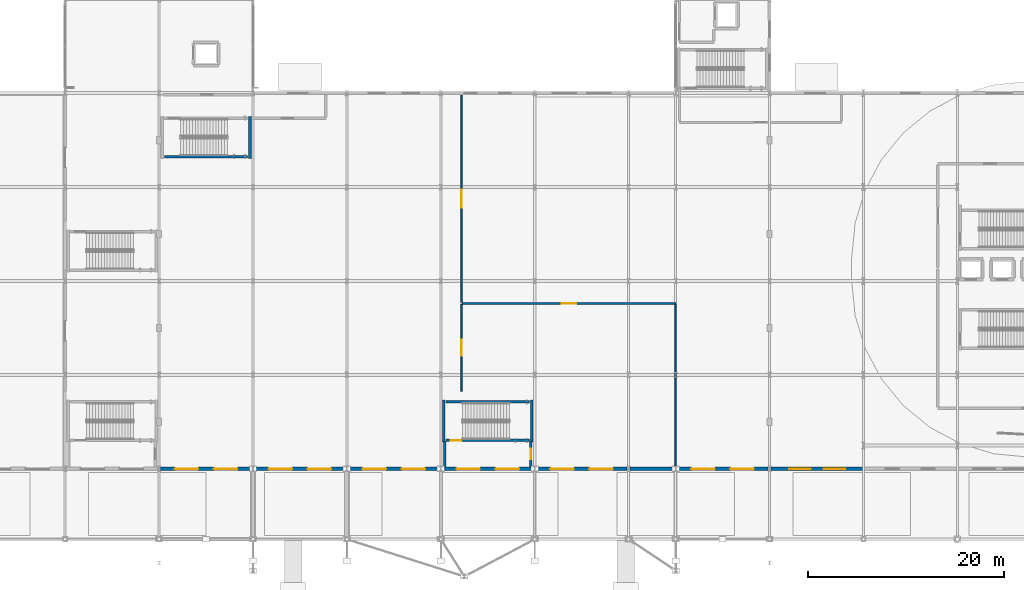
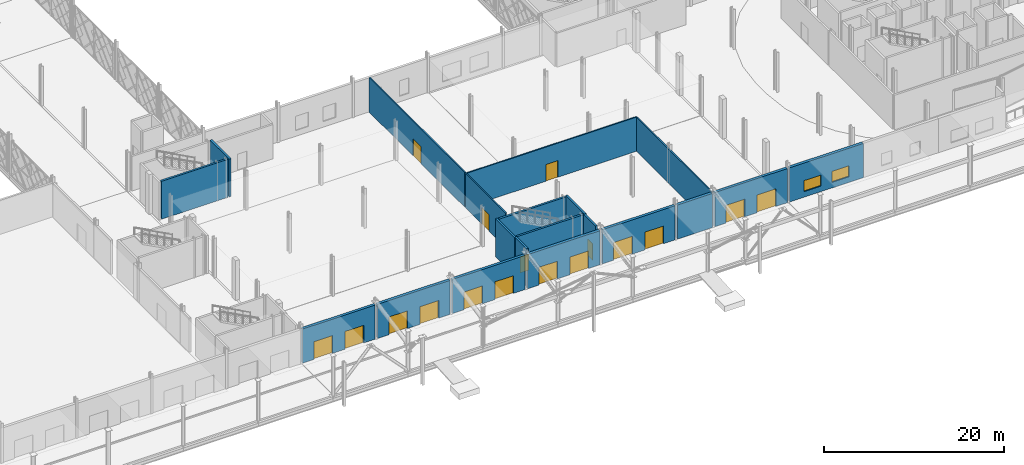
# One storey, part 52 of 84: 20 walls, 17 doors, 2 windows, 19 openings.
"""IFC4 building model written with IfcOpenShell, lengths in metres."""

import ifcopenshell
import ifcopenshell.guid

model = None  # the IFC model being written
_history = None  # IfcOwnerHistory: only IFC2X3 demands one
_inside = {}  # id of a spatial element -> (the spatial element, [elements in it])
_under = {}  # id of a project, library or spatial element -> (it, [spatial elements below it])
_declared = {}  # id of a project -> (the project, [libraries it declares])
_typed = {}  # id of a type object -> (the type object, [elements of that type])
_made_of = {}  # id of a material, layer set ... -> (it, [elements and type objects made of it])


def new_model(schema):
    """Start an empty IFC model of exactly this schema.

    Asked for "IFC4X3", IfcOpenShell would pick the latest addendum, in which some entities
    have other attributes; the version numbers below select the first issue.
    IFC2X3 requires an IfcOwnerHistory on every rooted entity: one is made here for all.
    """
    global model, _history
    if schema == "IFC4X3":
        model = ifcopenshell.file(schema_version=(4, 3, 0, 0))
    else:
        model = ifcopenshell.file(schema=schema)
    _inside.clear()
    _under.clear()
    _declared.clear()
    _typed.clear()
    _made_of.clear()
    _history = None
    if model.schema == "IFC2X3":
        org = make("IfcOrganization", Name="unknown")
        user = make(
            "IfcPersonAndOrganization",
            ThePerson=make("IfcPerson", FamilyName="unknown"),
            TheOrganization=org,
        )
        app = make(
            "IfcApplication",
            ApplicationDeveloper=org,
            Version="unknown",
            ApplicationFullName="unknown",
            ApplicationIdentifier="unknown",
        )
        _history = make(
            "IfcOwnerHistory",
            OwningUser=user,
            OwningApplication=app,
            ChangeAction="ADDED",
            CreationDate=0,
        )
    return model


def make(cls, **values):
    """One entity of the class cls with the attributes given. An attribute that is None is left unset."""
    return model.create_entity(
        cls, **{name: value for name, value in values.items() if value is not None}
    )


def rooted(cls, **values):
    """An entity with a GlobalId (a new one), such as an element, a storey or a relation."""
    return make(cls, GlobalId=ifcopenshell.guid.new(), OwnerHistory=_history, **values)


def si_unit(unit_type, name, prefix=None):
    """IfcSIUnit, for example si_unit("LENGTHUNIT", "METRE", prefix="MILLI")."""
    return make("IfcSIUnit", UnitType=unit_type, Prefix=prefix, Name=name)


def assignment(units):
    """IfcUnitAssignment: the units of a project."""
    return None if units is None else make("IfcUnitAssignment", Units=units)


def point(xyz):
    """IfcCartesianPoint."""
    return None if xyz is None else make("IfcCartesianPoint", Coordinates=xyz)


def direction(xyz):
    """IfcDirection."""
    return None if xyz is None else make("IfcDirection", DirectionRatios=xyz)


def frame(location, z_axis=None, x_axis=None):
    """IfcAxis2Placement3D, a coordinate frame: its origin and axes. An axis left out is left unset."""
    return make(
        "IfcAxis2Placement3D",
        Location=point(location),
        Axis=direction(z_axis),
        RefDirection=direction(x_axis),
    )


def frame_2d(location, x_axis=None):
    """IfcAxis2Placement2D, a coordinate frame in the plane: its origin and x axis."""
    return make(
        "IfcAxis2Placement2D", Location=point(location), RefDirection=direction(x_axis)
    )


def origin():
    """The frame at (0, 0, 0) with its axes left unset."""
    return frame((0.0, 0.0, 0.0))


def place(relative_to, where):
    """IfcLocalPlacement: puts the frame where relative to a parent placement (None: the world)."""
    return make(
        "IfcLocalPlacement", PlacementRelTo=relative_to, RelativePlacement=where
    )


def context(
    kind, dimensions, precision=None, world=None, true_north=None, identifier=None
):
    """IfcGeometricRepresentationContext, for example the 3D "Model" context."""
    return make(
        "IfcGeometricRepresentationContext",
        ContextIdentifier=identifier,
        ContextType=kind,
        CoordinateSpaceDimension=dimensions,
        Precision=precision,
        WorldCoordinateSystem=world,
        TrueNorth=true_north,
    )


def subcontext(parent, identifier, kind, view, scale=None):
    """IfcGeometricRepresentationSubContext, for example "Body" below "Model"."""
    return make(
        "IfcGeometricRepresentationSubContext",
        ContextIdentifier=identifier,
        ContextType=kind,
        ParentContext=parent,
        TargetScale=scale,
        TargetView=view,
    )


def project(units=None, contexts=None):
    """IfcProject with its units and contexts."""
    return rooted(
        "IfcProject",
        Name="project",
        RepresentationContexts=contexts,
        UnitsInContext=assignment(units),
    )


def spatial(cls, under=None, at=None, **own):
    """A site, building, storey or space (cls), placed at a placement, below another one or the project."""
    s = rooted(cls, ObjectPlacement=at, **own)
    if under is not None:
        _under.setdefault(under.id(), (under, []))[1].append(s)
    return s


def profile(cls, at=None, kind="AREA", **sizes):
    """A parametric profile (cls). Its sizes go by their IFC names, for example OverallWidth=200.0."""
    return make(cls, ProfileType=kind, Position=at, **sizes)


def rectangle(**sizes):
    """IfcRectangleProfileDef."""
    return profile("IfcRectangleProfileDef", **sizes)


def extrude(swept, where, along, depth):
    """IfcExtrudedAreaSolid: the profile swept, set in the frame where, extruded along a direction by depth."""
    return make(
        "IfcExtrudedAreaSolid",
        SweptArea=swept,
        Position=where,
        ExtrudedDirection=direction(along),
        Depth=depth,
    )


def shape(context_of_items, identifier, shape_type, items):
    """IfcShapeRepresentation: the items that make up one representation, for example the "Body"."""
    return make(
        "IfcShapeRepresentation",
        ContextOfItems=context_of_items,
        RepresentationIdentifier=identifier,
        RepresentationType=shape_type,
        Items=items,
    )


def material(Name=None, Category=None):
    """IfcMaterial."""
    return make("IfcMaterial", Name=Name, Category=Category)


def layer(
    of_material, thickness, ventilated=None, Name=None, Category=None, Priority=None
):
    """IfcMaterialLayer: one layer of a wall or slab, of a material (None: an air gap)."""
    return make(
        "IfcMaterialLayer",
        Material=of_material,
        LayerThickness=thickness,
        IsVentilated=ventilated,
        Name=Name,
        Category=Category,
        Priority=Priority,
    )


def layer_set(layers, Name=None):
    """IfcMaterialLayerSet."""
    return make("IfcMaterialLayerSet", MaterialLayers=layers, LayerSetName=Name)


def made_of(thing, what):
    """Note that an element or type object is made of a material, layer set ...; save() writes the relation."""
    if what is not None:
        _made_of.setdefault(what.id(), (what, []))[1].append(thing)
    return thing


def type_object(cls, material=None, **own):
    """A type object (cls), such as IfcWallType, which elements share."""
    return made_of(rooted(cls, **own), material)


def element(
    cls,
    number,
    at=None,
    inside=None,
    cuts=None,
    type_object=None,
    material=None,
    context=None,
    identifier="Body",
    shape_type=None,
    held_by="IfcProductDefinitionShape",
    body=None,
    shapes=None,
    **own,
):
    """One element of the class cls, such as IfcWall. Its Tag is "e" and its number.

    at: its placement. inside: the storey or other place that contains it. cuts: it is an
    opening in that element (IfcRelVoidsElement). A single representation is given by context,
    identifier, shape_type and body (its items); several are given by shapes. held_by: the class
    of the entity that holds the representations. save() writes the other relations.
    """
    e = rooted(cls, Tag="e%d" % number, ObjectPlacement=at, **own)
    if body is not None:
        shapes = [shape(context, identifier, shape_type, body)]
    if shapes is not None:
        e.Representation = make(held_by, Representations=shapes)
    if inside is not None:
        _inside.setdefault(inside.id(), (inside, []))[1].append(e)
    if cuts is not None:
        rooted(
            "IfcRelVoidsElement", RelatingBuildingElement=cuts, RelatedOpeningElement=e
        )
    if type_object is not None:
        _typed.setdefault(type_object.id(), (type_object, []))[1].append(e)
    return made_of(e, material)


def fill(opening, filler):
    """IfcRelFillsElement: the door or window that sits in an opening."""
    return rooted(
        "IfcRelFillsElement",
        RelatingOpeningElement=opening,
        RelatedBuildingElement=filler,
    )


def aggregate(whole, parts):
    """IfcRelAggregates: a whole, such as a stair, and the parts it consists of."""
    return rooted("IfcRelAggregates", RelatingObject=whole, RelatedObjects=parts)


def save(model, path):
    """Write the relations noted so far, then the file.

    IfcRelAggregates (storeys below a building ...), IfcRelContainedInSpatialStructure (elements
    in a storey), IfcRelDefinesByType, IfcRelAssociatesMaterial and IfcRelDeclares: one each for
    every whole, place, type object, material and project.
    """
    for whole, parts in _under.values():
        aggregate(whole, parts)
    for where, things in _inside.values():
        rooted(
            "IfcRelContainedInSpatialStructure",
            RelatedElements=things,
            RelatingStructure=where,
        )
    for kind, things in _typed.values():
        rooted("IfcRelDefinesByType", RelatedObjects=things, RelatingType=kind)
    for what, things in _made_of.values():
        rooted("IfcRelAssociatesMaterial", RelatedObjects=things, RelatingMaterial=what)
    for by, libraries in _declared.values():
        rooted("IfcRelDeclares", RelatingContext=by, RelatedDefinitions=libraries)
    model.write(path)


model = new_model("IFC4")

# Units and contexts
model_context = context("Model", 3, precision=1e-05, world=origin(), true_north=direction((0.0, 1.0)))
body_context = subcontext(model_context, "Body", "Model", "MODEL_VIEW")
ifc_project = project(units=[si_unit("LENGTHUNIT", "METRE"), si_unit("AREAUNIT", "SQUARE_METRE"), si_unit("VOLUMEUNIT", "CUBIC_METRE"), si_unit("PLANEANGLEUNIT", "RADIAN"), si_unit("MASSUNIT", "GRAM", prefix="KILO")], contexts=[model_context])

# Site, building, storey
site_placement = place(None, origin())
site = spatial("IfcSite", under=ifc_project, at=site_placement, CompositionType="ELEMENT")
building_placement = place(site_placement, origin())
building = spatial("IfcBuilding", under=site, at=building_placement, Name="Zevrakil Square Congress Hotel", CompositionType="ELEMENT")
storey_placement = place(building_placement, origin())
storey = spatial("IfcBuildingStorey", under=building, at=storey_placement, Name="L01", CompositionType="ELEMENT", Elevation=0.0)

# Wall
ifc_material_1 = material(Name="Concrete C35/45", Category="concrete")
ifc_layer_1 = layer(ifc_material_1, 0.239990234375)
ifc_layer_set_1 = layer_set([ifc_layer_1], Name="Concrete C35/45")
wall_type_1 = type_object("IfcWallType", Name="WAL-COMP-240", PredefinedType="SOLIDWALL", material=ifc_layer_set_1)
wall_1_placement = place(storey_placement, frame((84.39990234375, 7.39990234375, 0.0), z_axis=(0.0, 0.0, 1.0), x_axis=(0.0, 1.0, 0.0)))
element("IfcWall", 1, at=wall_1_placement, inside=storey, type_object=wall_type_1, Name="L01 interior partition PW-L01-0152", PredefinedType="SOLIDWALL", context=body_context, shape_type="SweptSolid", body=[
    extrude(rectangle(XDim=2.650146484375, YDim=0.239990234375, at=frame_2d((1.3251953125, 0.0))), origin(), (0.0, 0.0, 1.0), 5.139892578125),
])

# Wall, opening, door
wall_2_placement = place(storey_placement, frame((93.199951171875, 7.39990234375, 0.0), z_axis=(0.0, 0.0, 1.0), x_axis=(0.0, 1.0, 0.0)))
wall_2 = element("IfcWall", 2, at=wall_2_placement, inside=storey, type_object=wall_type_1, Name="L01 interior partition PW-L01-0153", PredefinedType="SOLIDWALL", context=body_context, shape_type="SweptSolid", body=[
    extrude(rectangle(XDim=2.650146484375, YDim=0.239990234375, at=frame_2d((1.3251953125, 0.0))), origin(), (0.0, 0.0, 1.0), 5.139892578125),
])
opening_1_placement = place(wall_2_placement, frame((0.77490234375, 0.0, 0.0)))
opening_1 = element("IfcOpeningElement", 3, at=opening_1_placement, cuts=wall_2, Name="Opening FD90-B", PredefinedType="OPENING", context=body_context, shape_type="SweptSolid", body=[
    extrude(rectangle(XDim=1.10009765625, YDim=2.199951171875, at=frame_2d((0.550048828125, 1.10009765625))), frame((0.0, 0.1298828125, 0.0), z_axis=(0.0, -1.0, 0.0), x_axis=(1.0, 0.0, 0.0)), (0.0, 0.0, 1.0), 0.260009765625),
])
ifc_material_2 = material(Name="Steel S355 Fire-Rated Door", Category="steel")
door_type_1 = type_object("IfcDoorType", Name="DOR-STAIR-FD90-110", OperationType="NOTDEFINED", PredefinedType="DOOR", material=ifc_material_2)
door_1_placement = place(opening_1_placement, origin())
door_1 = element("IfcDoor", 4, at=door_1_placement, inside=storey, type_object=door_type_1, Name="L01 interior door 60", OperationType="SINGLE_SWING_RIGHT", OverallHeight=2.199951171875, OverallWidth=1.10009765625, PredefinedType="DOOR", context=body_context, shape_type="SweptSolid", body=[
    extrude(rectangle(XDim=1.10009765625, YDim=2.199951171875, at=frame_2d((0.550048828125, 1.10009765625))), frame((0.0, 0.02490234375, 0.0), z_axis=(0.0, -1.0, 0.0), x_axis=(1.0, 0.0, 0.0)), (0.0, 0.0, 1.0), 0.050048828125),
])
fill(opening_1, door_1)

ifc_material_3 = material(Name="Gypsum Acoustic Stud Partition")
ifc_layer_2 = layer(ifc_material_3, 0.159912109375)
ifc_layer_set_2 = layer_set([ifc_layer_2], Name="Gypsum Acoustic Stud Partition")
wall_type_2 = type_object("IfcWallType", Name="WAL-CORR-160", PredefinedType="PARTITIONING", material=ifc_layer_set_2)
wall_3_placement = place(storey_placement, frame((86.10009765625, 15.14990234375, 0.0), z_axis=(0.0, 0.0, 1.0), x_axis=(0.0, 1.0, 0.0)))
wall_3 = element("IfcWall", 5, at=wall_3_placement, inside=storey, type_object=wall_type_2, Name="L01 interior partition PW-L01-0137", PredefinedType="PARTITIONING", context=body_context, shape_type="SweptSolid", body=[
    extrude(rectangle(XDim=8.85009765625, YDim=0.159912109375, at=frame_2d((4.425048828125, 0.0))), origin(), (0.0, 0.0, 1.0), 4.68505859375),
])
opening_2_placement = place(wall_3_placement, frame((3.60009765625, 0.0, 0.0)))
opening_2 = element("IfcOpeningElement", 6, at=opening_2_placement, cuts=wall_3, Name="Opening ID-22", PredefinedType="OPENING", context=body_context, shape_type="SweptSolid", body=[
    extrude(rectangle(XDim=1.64990234375, YDim=2.260009765625, at=frame_2d((0.824951171875, 1.1298828125))), frame((0.0, 0.08984375, 0.0), z_axis=(0.0, -1.0, 0.0), x_axis=(1.0, 0.0, 0.0)), (0.0, 0.0, 1.0), 0.179931640625),
])
ifc_material_4 = material(Name="Salon Double Fire Door")
door_type_2 = type_object("IfcDoorType", Name="DOR-INT-V12", OperationType="NOTDEFINED", PredefinedType="DOOR", material=ifc_material_4)
door_2_placement = place(opening_2_placement, origin())
door_2 = element("IfcDoor", 7, at=door_2_placement, inside=storey, type_object=door_type_2, Name="L01 interior door 53", OperationType="DOUBLE_DOOR_SINGLE_SWING", OverallHeight=2.260009765625, OverallWidth=1.64990234375, PredefinedType="DOOR", context=body_context, shape_type="SweptSolid", body=[
    extrude(rectangle(XDim=1.64990234375, YDim=2.260009765625, at=frame_2d((0.824951171875, 1.1298828125))), frame((0.0, 0.02490234375, 0.0), z_axis=(0.0, -1.0, 0.0), x_axis=(1.0, 0.0, 0.0)), (0.0, 0.0, 1.0), 0.050048828125),
])
fill(opening_2, door_2)

wall_4_placement = place(storey_placement, frame((86.10009765625, 24.199951171875, 0.0), z_axis=(0.0, 0.0, 1.0), x_axis=(0.0, 1.0, 0.0)))
wall_4 = element("IfcWall", 8, at=wall_4_placement, inside=storey, type_object=wall_type_2, Name="L01 interior partition PW-L01-0138", PredefinedType="PARTITIONING", context=body_context, shape_type="SweptSolid", body=[
    extrude(rectangle(XDim=21.199951171875, YDim=0.159912109375, at=frame_2d((10.60009765625, 0.0))), origin(), (0.0, 0.0, 1.0), 4.68505859375),
])
opening_3_placement = place(wall_4_placement, frame((9.699951171875, 0.0, 0.0)))
opening_3 = element("IfcOpeningElement", 9, at=opening_3_placement, cuts=wall_4, Name="Opening ID-04", PredefinedType="OPENING", context=body_context, shape_type="SweptSolid", body=[
    extrude(rectangle(XDim=1.800048828125, YDim=2.300048828125, at=frame_2d((0.89990234375, 1.14990234375))), frame((0.0, 0.08984375, 0.0), z_axis=(0.0, -1.0, 0.0), x_axis=(1.0, 0.0, 0.0)), (0.0, 0.0, 1.0), 0.179931640625),
])
ifc_material_5 = material(Name="Diplomatic Boardroom Double Door")
door_type_3 = type_object("IfcDoorType", Name="DOR-MTG-180", OperationType="NOTDEFINED", PredefinedType="DOOR", material=ifc_material_5)
door_3_placement = place(opening_3_placement, origin())
door_3 = element("IfcDoor", 10, at=door_3_placement, inside=storey, type_object=door_type_3, Name="L01 interior door 54", OperationType="DOUBLE_DOOR_SINGLE_SWING", OverallHeight=2.300048828125, OverallWidth=1.800048828125, PredefinedType="DOOR", context=body_context, shape_type="SweptSolid", body=[
    extrude(rectangle(XDim=1.800048828125, YDim=2.300048828125, at=frame_2d((0.89990234375, 1.14990234375))), frame((0.0, 0.02490234375, 0.0), z_axis=(0.0, -1.0, 0.0), x_axis=(1.0, 0.0, 0.0)), (0.0, 0.0, 1.0), 0.050048828125),
])
fill(opening_3, door_3)

wall_5_placement = place(storey_placement, frame((86.199951171875, 24.10009765625, 0.0), z_axis=(0.0, 0.0, 1.0), x_axis=(1.0, 0.0, 0.0)))
wall_5 = element("IfcWall", 11, at=wall_5_placement, inside=storey, type_object=wall_type_2, Name="L01 interior partition PW-L01-0139", PredefinedType="PARTITIONING", context=body_context, shape_type="SweptSolid", body=[
    extrude(rectangle(XDim=21.800048828125, YDim=0.159912109375, at=frame_2d((10.89990234375, 0.0))), origin(), (0.0, 0.0, 1.0), 4.625),
])
opening_4_placement = place(wall_5_placement, frame((10.14990234375, 0.0, 0.0)))
opening_4 = element("IfcOpeningElement", 12, at=opening_4_placement, cuts=wall_5, Name="Opening ID-03", PredefinedType="OPENING", context=body_context, shape_type="SweptSolid", body=[
    extrude(rectangle(XDim=1.5, YDim=2.25, at=frame_2d((0.75, 1.125))), frame((0.0, 0.08984375, 0.0), z_axis=(0.0, -1.0, 0.0), x_axis=(1.0, 0.0, 0.0)), (0.0, 0.0, 1.0), 0.179931640625),
])
ifc_material_6 = material(Name="Acoustic Double Meeting Door")
door_type_4 = type_object("IfcDoorType", Name="DOR-MTG-150", OperationType="NOTDEFINED", PredefinedType="DOOR", material=ifc_material_6)
door_4_placement = place(opening_4_placement, origin())
door_4 = element("IfcDoor", 13, at=door_4_placement, inside=storey, type_object=door_type_4, Name="L01 interior door 55", OperationType="DOUBLE_DOOR_SINGLE_SWING", OverallHeight=2.25, OverallWidth=1.5, PredefinedType="DOOR", context=body_context, shape_type="SweptSolid", body=[
    extrude(rectangle(XDim=1.5, YDim=2.25, at=frame_2d((0.75, 1.125))), frame((0.0, 0.02490234375, 0.0), z_axis=(0.0, -1.0, 0.0), x_axis=(1.0, 0.0, 0.0)), (0.0, 0.0, 1.0), 0.050048828125),
])
fill(opening_4, door_4)

# Wall
wall_6_placement = place(storey_placement, frame((108.0, 7.449951171875, 0.0), z_axis=(0.0, 0.0, 1.0), x_axis=(0.0, 1.0, 0.0)))
element("IfcWall", 14, at=wall_6_placement, inside=storey, type_object=wall_type_2, Name="L01 interior partition PW-L01-0140", PredefinedType="PARTITIONING", context=body_context, shape_type="SweptSolid", body=[
    extrude(rectangle(XDim=16.550048828125, YDim=0.159912109375, at=frame_2d((8.27490234375, 0.0))), origin(), (0.0, 0.0, 1.0), 4.625),
])

# Wall, openings, doors
ifc_material_7 = material(Name="Precast concrete C40/50", Category="concrete")
ifc_layer_3 = layer(ifc_material_7, 0.340087890625)
ifc_layer_set_3 = layer_set([ifc_layer_3], Name="Precast concrete C40/50")
wall_type_3 = type_object("IfcWallType", Name="WAL-EXT-COL-340", PredefinedType="SOLIDWALL", material=ifc_layer_set_3)
wall_7_placement = place(storey_placement, frame((55.35400390625, 7.199951171875, 0.0), z_axis=(0.0, 0.0, 1.0), x_axis=(1.0, 0.0, 0.0)))
wall_7 = element("IfcWall", 15, at=wall_7_placement, inside=storey, type_object=wall_type_3, Name="L01 exterior GRC wall EW-L01-0009", PredefinedType="SOLIDWALL", context=body_context, shape_type="SweptSolid", body=[
    extrude(rectangle(XDim=9.2919921875, YDim=0.340087890625, at=frame_2d((4.64599609375, 0.0))), origin(), (0.0, 0.0, 1.0), 4.625),
])
opening_5_placement = place(wall_7_placement, frame((1.449951171875, 0.0, 0.0)))
opening_5 = element("IfcOpeningElement", 16, at=opening_5_placement, cuts=wall_7, Name="Opening E11", PredefinedType="OPENING", context=body_context, shape_type="SweptSolid", body=[
    extrude(rectangle(XDim=2.39990234375, YDim=2.39990234375, at=frame_2d((1.199951171875, 1.199951171875))), frame((0.0, 0.18017578125, 0.0), z_axis=(0.0, -1.0, 0.0), x_axis=(1.0, 0.0, 0.0)), (0.0, 0.0, 1.0), 0.360107421875),
])
opening_6_placement = place(wall_7_placement, frame((5.44189453125, 0.0, 0.0)))
opening_6 = element("IfcOpeningElement", 17, at=opening_6_placement, cuts=wall_7, Name="Opening E12", PredefinedType="OPENING", context=body_context, shape_type="SweptSolid", body=[
    extrude(rectangle(XDim=2.39990234375, YDim=2.39990234375, at=frame_2d((1.199951171875, 1.199951171875))), frame((0.0, 0.18017578125, 0.0), z_axis=(0.0, -1.0, 0.0), x_axis=(1.0, 0.0, 0.0)), (0.0, 0.0, 1.0), 0.360107421875),
])
ifc_material_8 = material(Name="Aluminium Thermal-Break Glazed Door", Category="aluminium")
door_type_5 = type_object("IfcDoorType", Name="DOR-EXIT-240", OperationType="NOTDEFINED", PredefinedType="DOOR", material=ifc_material_8)
door_5_placement = place(opening_5_placement, frame((2.39990234375, 0.0, 0.0), z_axis=(0.0, 0.0, 1.0), x_axis=(-1.0, 0.0, 0.0)))
door_5 = element("IfcDoor", 18, at=door_5_placement, inside=storey, type_object=door_type_5, Name="L01 pedestrian final exit door E11", OperationType="DOUBLE_DOOR_SINGLE_SWING", OverallHeight=2.39990234375, OverallWidth=2.39990234375, PredefinedType="DOOR", context=body_context, shape_type="SweptSolid", body=[
    extrude(rectangle(XDim=2.39990234375, YDim=2.39990234375, at=frame_2d((1.199951171875, 1.199951171875))), frame((0.0, 0.02490234375, 0.0), z_axis=(0.0, -1.0, 0.0), x_axis=(1.0, 0.0, 0.0)), (0.0, 0.0, 1.0), 0.050048828125),
])
fill(opening_5, door_5)
door_6_placement = place(opening_6_placement, frame((2.39990234375, 0.0, 0.0), z_axis=(0.0, 0.0, 1.0), x_axis=(-1.0, 0.0, 0.0)))
door_6 = element("IfcDoor", 19, at=door_6_placement, inside=storey, type_object=door_type_5, Name="L01 pedestrian final exit door E12", OperationType="DOUBLE_DOOR_SINGLE_SWING", OverallHeight=2.39990234375, OverallWidth=2.39990234375, PredefinedType="DOOR", context=body_context, shape_type="SweptSolid", body=[
    extrude(rectangle(XDim=2.39990234375, YDim=2.39990234375, at=frame_2d((1.199951171875, 1.199951171875))), frame((0.0, 0.02490234375, 0.0), z_axis=(0.0, -1.0, 0.0), x_axis=(1.0, 0.0, 0.0)), (0.0, 0.0, 1.0), 0.050048828125),
])
fill(opening_6, door_6)

wall_8_placement = place(storey_placement, frame((74.553955078125, 7.199951171875, 0.0), z_axis=(0.0, 0.0, 1.0), x_axis=(1.0, 0.0, 0.0)))
wall_8 = element("IfcWall", 20, at=wall_8_placement, inside=storey, type_object=wall_type_3, Name="L01 exterior GRC wall EW-L01-0012", PredefinedType="SOLIDWALL", context=body_context, shape_type="SweptSolid", body=[
    extrude(rectangle(XDim=9.2919921875, YDim=0.340087890625, at=frame_2d((4.64599609375, 0.0))), origin(), (0.0, 0.0, 1.0), 4.625),
])
opening_7_placement = place(wall_8_placement, frame((1.449951171875, 0.0, 0.0)))
opening_7 = element("IfcOpeningElement", 21, at=opening_7_placement, cuts=wall_8, Name="Opening E15", PredefinedType="OPENING", context=body_context, shape_type="SweptSolid", body=[
    extrude(rectangle(XDim=2.39990234375, YDim=2.39990234375, at=frame_2d((1.199951171875, 1.199951171875))), frame((0.0, 0.18017578125, 0.0), z_axis=(0.0, -1.0, 0.0), x_axis=(1.0, 0.0, 0.0)), (0.0, 0.0, 1.0), 0.360107421875),
])
opening_8_placement = place(wall_8_placement, frame((5.44189453125, 0.0, 0.0)))
opening_8 = element("IfcOpeningElement", 22, at=opening_8_placement, cuts=wall_8, Name="Opening E16", PredefinedType="OPENING", context=body_context, shape_type="SweptSolid", body=[
    extrude(rectangle(XDim=2.39990234375, YDim=2.39990234375, at=frame_2d((1.199951171875, 1.199951171875))), frame((0.0, 0.18017578125, 0.0), z_axis=(0.0, -1.0, 0.0), x_axis=(1.0, 0.0, 0.0)), (0.0, 0.0, 1.0), 0.360107421875),
])
door_7_placement = place(opening_7_placement, frame((2.39990234375, 0.0, 0.0), z_axis=(0.0, 0.0, 1.0), x_axis=(-1.0, 0.0, 0.0)))
door_7 = element("IfcDoor", 23, at=door_7_placement, inside=storey, type_object=door_type_5, Name="L01 pedestrian final exit door E15", OperationType="DOUBLE_DOOR_SINGLE_SWING", OverallHeight=2.39990234375, OverallWidth=2.39990234375, PredefinedType="DOOR", context=body_context, shape_type="SweptSolid", body=[
    extrude(rectangle(XDim=2.39990234375, YDim=2.39990234375, at=frame_2d((1.199951171875, 1.199951171875))), frame((0.0, 0.02490234375, 0.0), z_axis=(0.0, -1.0, 0.0), x_axis=(1.0, 0.0, 0.0)), (0.0, 0.0, 1.0), 0.050048828125),
])
fill(opening_7, door_7)
door_8_placement = place(opening_8_placement, frame((2.39990234375, 0.0, 0.0), z_axis=(0.0, 0.0, 1.0), x_axis=(-1.0, 0.0, 0.0)))
door_8 = element("IfcDoor", 24, at=door_8_placement, inside=storey, type_object=door_type_5, Name="L01 pedestrian final exit door E16", OperationType="DOUBLE_DOOR_SINGLE_SWING", OverallHeight=2.39990234375, OverallWidth=2.39990234375, PredefinedType="DOOR", context=body_context, shape_type="SweptSolid", body=[
    extrude(rectangle(XDim=2.39990234375, YDim=2.39990234375, at=frame_2d((1.199951171875, 1.199951171875))), frame((0.0, 0.02490234375, 0.0), z_axis=(0.0, -1.0, 0.0), x_axis=(1.0, 0.0, 0.0)), (0.0, 0.0, 1.0), 0.050048828125),
])
fill(opening_8, door_8)

wall_9_placement = place(storey_placement, frame((93.75390625, 7.199951171875, 0.0), z_axis=(0.0, 0.0, 1.0), x_axis=(1.0, 0.0, 0.0)))
wall_9 = element("IfcWall", 25, at=wall_9_placement, inside=storey, type_object=wall_type_3, Name="L01 exterior GRC wall EW-L01-0015", PredefinedType="SOLIDWALL", context=body_context, shape_type="SweptSolid", body=[
    extrude(rectangle(XDim=9.2919921875, YDim=0.340087890625, at=frame_2d((4.64599609375, 0.0))), origin(), (0.0, 0.0, 1.0), 4.625),
])
opening_9_placement = place(wall_9_placement, frame((1.449951171875, 0.0, 0.0)))
opening_9 = element("IfcOpeningElement", 26, at=opening_9_placement, cuts=wall_9, Name="Opening E19", PredefinedType="OPENING", context=body_context, shape_type="SweptSolid", body=[
    extrude(rectangle(XDim=2.39990234375, YDim=2.39990234375, at=frame_2d((1.199951171875, 1.199951171875))), frame((0.0, 0.18017578125, 0.0), z_axis=(0.0, -1.0, 0.0), x_axis=(1.0, 0.0, 0.0)), (0.0, 0.0, 1.0), 0.360107421875),
])
opening_10_placement = place(wall_9_placement, frame((5.44189453125, 0.0, 0.0)))
opening_10 = element("IfcOpeningElement", 27, at=opening_10_placement, cuts=wall_9, Name="Opening E20", PredefinedType="OPENING", context=body_context, shape_type="SweptSolid", body=[
    extrude(rectangle(XDim=2.39990234375, YDim=2.39990234375, at=frame_2d((1.199951171875, 1.199951171875))), frame((0.0, 0.18017578125, 0.0), z_axis=(0.0, -1.0, 0.0), x_axis=(1.0, 0.0, 0.0)), (0.0, 0.0, 1.0), 0.360107421875),
])
door_9_placement = place(opening_9_placement, frame((2.39990234375, 0.0, 0.0), z_axis=(0.0, 0.0, 1.0), x_axis=(-1.0, 0.0, 0.0)))
door_9 = element("IfcDoor", 28, at=door_9_placement, inside=storey, type_object=door_type_5, Name="L01 pedestrian final exit door E19", OperationType="DOUBLE_DOOR_SINGLE_SWING", OverallHeight=2.39990234375, OverallWidth=2.39990234375, PredefinedType="DOOR", context=body_context, shape_type="SweptSolid", body=[
    extrude(rectangle(XDim=2.39990234375, YDim=2.39990234375, at=frame_2d((1.199951171875, 1.199951171875))), frame((0.0, 0.02490234375, 0.0), z_axis=(0.0, -1.0, 0.0), x_axis=(1.0, 0.0, 0.0)), (0.0, 0.0, 1.0), 0.050048828125),
])
fill(opening_9, door_9)
door_10_placement = place(opening_10_placement, frame((2.39990234375, 0.0, 0.0), z_axis=(0.0, 0.0, 1.0), x_axis=(-1.0, 0.0, 0.0)))
door_10 = element("IfcDoor", 29, at=door_10_placement, inside=storey, type_object=door_type_5, Name="L01 pedestrian final exit door E20", OperationType="DOUBLE_DOOR_SINGLE_SWING", OverallHeight=2.39990234375, OverallWidth=2.39990234375, PredefinedType="DOOR", context=body_context, shape_type="SweptSolid", body=[
    extrude(rectangle(XDim=2.39990234375, YDim=2.39990234375, at=frame_2d((1.199951171875, 1.199951171875))), frame((0.0, 0.02490234375, 0.0), z_axis=(0.0, -1.0, 0.0), x_axis=(1.0, 0.0, 0.0)), (0.0, 0.0, 1.0), 0.050048828125),
])
fill(opening_10, door_10)

wall_10_placement = place(storey_placement, frame((108.154052734375, 7.199951171875, 0.0), z_axis=(0.0, 0.0, 1.0), x_axis=(1.0, 0.0, 0.0)))
wall_10 = element("IfcWall", 30, at=wall_10_placement, inside=storey, type_object=wall_type_3, Name="L01 exterior GRC wall EW-L01-0019", PredefinedType="SOLIDWALL", context=body_context, shape_type="SweptSolid", body=[
    extrude(rectangle(XDim=9.2919921875, YDim=0.340087890625, at=frame_2d((4.64599609375, 0.0))), origin(), (0.0, 0.0, 1.0), 4.625),
])
opening_11_placement = place(wall_10_placement, frame((1.449951171875, 0.0, 0.0)))
opening_11 = element("IfcOpeningElement", 31, at=opening_11_placement, cuts=wall_10, Name="Opening E21", PredefinedType="OPENING", context=body_context, shape_type="SweptSolid", body=[
    extrude(rectangle(XDim=2.39990234375, YDim=2.39990234375, at=frame_2d((1.199951171875, 1.199951171875))), frame((0.0, 0.18017578125, 0.0), z_axis=(0.0, -1.0, 0.0), x_axis=(1.0, 0.0, 0.0)), (0.0, 0.0, 1.0), 0.360107421875),
])
opening_12_placement = place(wall_10_placement, frame((5.44189453125, 0.0, 0.0)))
opening_12 = element("IfcOpeningElement", 32, at=opening_12_placement, cuts=wall_10, Name="Opening E22", PredefinedType="OPENING", context=body_context, shape_type="SweptSolid", body=[
    extrude(rectangle(XDim=2.39990234375, YDim=2.39990234375, at=frame_2d((1.199951171875, 1.199951171875))), frame((0.0, 0.18017578125, 0.0), z_axis=(0.0, -1.0, 0.0), x_axis=(1.0, 0.0, 0.0)), (0.0, 0.0, 1.0), 0.360107421875),
])
door_11_placement = place(opening_11_placement, frame((2.39990234375, 0.0, 0.0), z_axis=(0.0, 0.0, 1.0), x_axis=(-1.0, 0.0, 0.0)))
door_11 = element("IfcDoor", 33, at=door_11_placement, inside=storey, type_object=door_type_5, Name="L01 pedestrian final exit door E21", OperationType="DOUBLE_DOOR_SINGLE_SWING", OverallHeight=2.39990234375, OverallWidth=2.39990234375, PredefinedType="DOOR", context=body_context, shape_type="SweptSolid", body=[
    extrude(rectangle(XDim=2.39990234375, YDim=2.39990234375, at=frame_2d((1.199951171875, 1.199951171875))), frame((0.0, 0.02490234375, 0.0), z_axis=(0.0, -1.0, 0.0), x_axis=(1.0, 0.0, 0.0)), (0.0, 0.0, 1.0), 0.050048828125),
])
fill(opening_11, door_11)
door_12_placement = place(opening_12_placement, frame((2.39990234375, 0.0, 0.0), z_axis=(0.0, 0.0, 1.0), x_axis=(-1.0, 0.0, 0.0)))
door_12 = element("IfcDoor", 34, at=door_12_placement, inside=storey, type_object=door_type_5, Name="L01 pedestrian final exit door E22", OperationType="DOUBLE_DOOR_SINGLE_SWING", OverallHeight=2.39990234375, OverallWidth=2.39990234375, PredefinedType="DOOR", context=body_context, shape_type="SweptSolid", body=[
    extrude(rectangle(XDim=2.39990234375, YDim=2.39990234375, at=frame_2d((1.199951171875, 1.199951171875))), frame((0.0, 0.02490234375, 0.0), z_axis=(0.0, -1.0, 0.0), x_axis=(1.0, 0.0, 0.0)), (0.0, 0.0, 1.0), 0.050048828125),
])
fill(opening_12, door_12)

ifc_material_9 = material(Name="Precast concrete C40/50", Category="concrete")
ifc_layer_4 = layer(ifc_material_9, 0.360107421875)
ifc_layer_set_4 = layer_set([ifc_layer_4], Name="Precast concrete C40/50")
wall_type_4 = type_object("IfcWallType", Name="WAL-EXT-GRC-360", PredefinedType="SOLIDWALL", material=ifc_layer_set_4)
wall_11_placement = place(storey_placement, frame((64.9541015625, 7.199951171875, 0.0), z_axis=(0.0, 0.0, 1.0), x_axis=(1.0, 0.0, 0.0)))
wall_11 = element("IfcWall", 35, at=wall_11_placement, inside=storey, type_object=wall_type_4, Name="L01 exterior GRC wall EW-L01-0011", PredefinedType="SOLIDWALL", context=body_context, shape_type="SweptSolid", body=[
    extrude(rectangle(XDim=9.2919921875, YDim=0.360107421875, at=frame_2d((4.64599609375, 0.0))), origin(), (0.0, 0.0, 1.0), 4.625),
])
opening_13_placement = place(wall_11_placement, frame((1.449951171875, 0.0, 0.0)))
opening_13 = element("IfcOpeningElement", 36, at=opening_13_placement, cuts=wall_11, Name="Opening E13", PredefinedType="OPENING", context=body_context, shape_type="SweptSolid", body=[
    extrude(rectangle(XDim=2.39990234375, YDim=2.39990234375, at=frame_2d((1.199951171875, 1.199951171875))), frame((0.0, 0.18994140625, 0.0), z_axis=(0.0, -1.0, 0.0), x_axis=(1.0, 0.0, 0.0)), (0.0, 0.0, 1.0), 0.380126953125),
])
opening_14_placement = place(wall_11_placement, frame((5.44189453125, 0.0, 0.0)))
opening_14 = element("IfcOpeningElement", 37, at=opening_14_placement, cuts=wall_11, Name="Opening E14", PredefinedType="OPENING", context=body_context, shape_type="SweptSolid", body=[
    extrude(rectangle(XDim=2.39990234375, YDim=2.39990234375, at=frame_2d((1.199951171875, 1.199951171875))), frame((0.0, 0.18994140625, 0.0), z_axis=(0.0, -1.0, 0.0), x_axis=(1.0, 0.0, 0.0)), (0.0, 0.0, 1.0), 0.380126953125),
])
door_13_placement = place(opening_13_placement, frame((2.39990234375, 0.0, 0.0), z_axis=(0.0, 0.0, 1.0), x_axis=(-1.0, 0.0, 0.0)))
door_13 = element("IfcDoor", 38, at=door_13_placement, inside=storey, type_object=door_type_5, Name="L01 pedestrian final exit door E13", OperationType="DOUBLE_DOOR_SINGLE_SWING", OverallHeight=2.39990234375, OverallWidth=2.39990234375, PredefinedType="DOOR", context=body_context, shape_type="SweptSolid", body=[
    extrude(rectangle(XDim=2.39990234375, YDim=2.39990234375, at=frame_2d((1.199951171875, 1.199951171875))), frame((0.0, 0.02490234375, 0.0), z_axis=(0.0, -1.0, 0.0), x_axis=(1.0, 0.0, 0.0)), (0.0, 0.0, 1.0), 0.050048828125),
])
fill(opening_13, door_13)
door_14_placement = place(opening_14_placement, frame((2.39990234375, 0.0, 0.0), z_axis=(0.0, 0.0, 1.0), x_axis=(-1.0, 0.0, 0.0)))
door_14 = element("IfcDoor", 39, at=door_14_placement, inside=storey, type_object=door_type_5, Name="L01 pedestrian final exit door E14", OperationType="DOUBLE_DOOR_SINGLE_SWING", OverallHeight=2.39990234375, OverallWidth=2.39990234375, PredefinedType="DOOR", context=body_context, shape_type="SweptSolid", body=[
    extrude(rectangle(XDim=2.39990234375, YDim=2.39990234375, at=frame_2d((1.199951171875, 1.199951171875))), frame((0.0, 0.02490234375, 0.0), z_axis=(0.0, -1.0, 0.0), x_axis=(1.0, 0.0, 0.0)), (0.0, 0.0, 1.0), 0.050048828125),
])
fill(opening_14, door_14)

wall_12_placement = place(storey_placement, frame((84.154052734375, 7.199951171875, 0.0), z_axis=(0.0, 0.0, 1.0), x_axis=(1.0, 0.0, 0.0)))
wall_12 = element("IfcWall", 40, at=wall_12_placement, inside=storey, type_object=wall_type_4, Name="L01 exterior GRC wall EW-L01-0014", PredefinedType="SOLIDWALL", context=body_context, shape_type="SweptSolid", body=[
    extrude(rectangle(XDim=9.2919921875, YDim=0.360107421875, at=frame_2d((4.64599609375, 0.0))), origin(), (0.0, 0.0, 1.0), 4.625),
])
opening_15_placement = place(wall_12_placement, frame((1.449951171875, 0.0, 0.0)))
opening_15 = element("IfcOpeningElement", 41, at=opening_15_placement, cuts=wall_12, Name="Opening E17", PredefinedType="OPENING", context=body_context, shape_type="SweptSolid", body=[
    extrude(rectangle(XDim=2.39990234375, YDim=2.39990234375, at=frame_2d((1.199951171875, 1.199951171875))), frame((0.0, 0.18994140625, 0.0), z_axis=(0.0, -1.0, 0.0), x_axis=(1.0, 0.0, 0.0)), (0.0, 0.0, 1.0), 0.380126953125),
])
opening_16_placement = place(wall_12_placement, frame((5.44189453125, 0.0, 0.0)))
opening_16 = element("IfcOpeningElement", 42, at=opening_16_placement, cuts=wall_12, Name="Opening E18", PredefinedType="OPENING", context=body_context, shape_type="SweptSolid", body=[
    extrude(rectangle(XDim=2.39990234375, YDim=2.39990234375, at=frame_2d((1.199951171875, 1.199951171875))), frame((0.0, 0.18994140625, 0.0), z_axis=(0.0, -1.0, 0.0), x_axis=(1.0, 0.0, 0.0)), (0.0, 0.0, 1.0), 0.380126953125),
])
door_15_placement = place(opening_15_placement, frame((2.39990234375, 0.0, 0.0), z_axis=(0.0, 0.0, 1.0), x_axis=(-1.0, 0.0, 0.0)))
door_15 = element("IfcDoor", 43, at=door_15_placement, inside=storey, type_object=door_type_5, Name="L01 pedestrian final exit door E17", OperationType="DOUBLE_DOOR_SINGLE_SWING", OverallHeight=2.39990234375, OverallWidth=2.39990234375, PredefinedType="DOOR", context=body_context, shape_type="SweptSolid", body=[
    extrude(rectangle(XDim=2.39990234375, YDim=2.39990234375, at=frame_2d((1.199951171875, 1.199951171875))), frame((0.0, 0.02490234375, 0.0), z_axis=(0.0, -1.0, 0.0), x_axis=(1.0, 0.0, 0.0)), (0.0, 0.0, 1.0), 0.050048828125),
])
fill(opening_15, door_15)
door_16_placement = place(opening_16_placement, frame((2.39990234375, 0.0, 0.0), z_axis=(0.0, 0.0, 1.0), x_axis=(-1.0, 0.0, 0.0)))
door_16 = element("IfcDoor", 44, at=door_16_placement, inside=storey, type_object=door_type_5, Name="L01 pedestrian final exit door E18", OperationType="DOUBLE_DOOR_SINGLE_SWING", OverallHeight=2.39990234375, OverallWidth=2.39990234375, PredefinedType="DOOR", context=body_context, shape_type="SweptSolid", body=[
    extrude(rectangle(XDim=2.39990234375, YDim=2.39990234375, at=frame_2d((1.199951171875, 1.199951171875))), frame((0.0, 0.02490234375, 0.0), z_axis=(0.0, -1.0, 0.0), x_axis=(1.0, 0.0, 0.0)), (0.0, 0.0, 1.0), 0.050048828125),
])
fill(opening_16, door_16)

# Wall
wall_13_placement = place(storey_placement, frame((103.35400390625, 7.199951171875, 0.0), z_axis=(0.0, 0.0, 1.0), x_axis=(1.0, 0.0, 0.0)))
element("IfcWall", 45, at=wall_13_placement, inside=storey, type_object=wall_type_4, Name="L01 exterior GRC wall EW-L01-0017", PredefinedType="SOLIDWALL", context=body_context, shape_type="SweptSolid", body=[
    extrude(rectangle(XDim=4.491943359375, YDim=0.360107421875, at=frame_2d((2.24609375, 0.0))), origin(), (0.0, 0.0, 1.0), 4.625),
])

# Wall, openings, windows
wall_14_placement = place(storey_placement, frame((117.75390625, 7.199951171875, 0.0), z_axis=(0.0, 0.0, 1.0), x_axis=(1.0, 0.0, 0.0)))
wall_14 = element("IfcWall", 46, at=wall_14_placement, inside=storey, type_object=wall_type_4, Name="L01 exterior GRC wall EW-L01-0021", PredefinedType="SOLIDWALL", context=body_context, shape_type="SweptSolid", body=[
    extrude(rectangle(XDim=9.443115234375, YDim=0.360107421875, at=frame_2d((4.7216796875, 0.0))), origin(), (0.0, 0.0, 1.0), 4.625),
])
opening_17_placement = place(wall_14_placement, frame((1.835693359375, 0.0, 0.75)))
opening_17 = element("IfcOpeningElement", 47, at=opening_17_placement, cuts=wall_14, Name="Opening WN-12", PredefinedType="OPENING", context=body_context, shape_type="SweptSolid", body=[
    extrude(rectangle(XDim=2.199951171875, YDim=1.5, at=frame_2d((1.10009765625, 0.75))), frame((0.0, 0.18994140625, 0.0), z_axis=(0.0, -1.0, 0.0), x_axis=(1.0, 0.0, 0.0)), (0.0, 0.0, 1.0), 0.380126953125),
])
opening_18_placement = place(wall_14_placement, frame((5.4072265625, 0.0, 0.75)))
opening_18 = element("IfcOpeningElement", 48, at=opening_18_placement, cuts=wall_14, Name="Opening WN-12", PredefinedType="OPENING", context=body_context, shape_type="SweptSolid", body=[
    extrude(rectangle(XDim=2.199951171875, YDim=1.5, at=frame_2d((1.10009765625, 0.75))), frame((0.0, 0.18994140625, 0.0), z_axis=(0.0, -1.0, 0.0), x_axis=(1.0, 0.0, 0.0)), (0.0, 0.0, 1.0), 0.380126953125),
])
ifc_material_10 = material(Name="Low-E Solar Control Double Glazing", Category="glass")
window_type = type_object("IfcWindowType", Name="WIN-EXT-12", PartitioningType="SINGLE_PANEL", PredefinedType="WINDOW", material=ifc_material_10)
window_1_placement = place(opening_17_placement, origin())
window_1 = element("IfcWindow", 49, at=window_1_placement, inside=storey, type_object=window_type, Name="L01 low-E solar window 12", OverallHeight=1.5, OverallWidth=2.199951171875, PartitioningType="SINGLE_PANEL", PredefinedType="WINDOW", context=body_context, shape_type="SweptSolid", body=[
    extrude(rectangle(XDim=2.199951171875, YDim=1.5, at=frame_2d((1.10009765625, 0.75))), frame((0.0, 0.030029296875, 0.0), z_axis=(0.0, -1.0, 0.0), x_axis=(1.0, 0.0, 0.0)), (0.0, 0.0, 1.0), 0.06005859375),
])
fill(opening_17, window_1)
window_2_placement = place(opening_18_placement, origin())
window_2 = element("IfcWindow", 50, at=window_2_placement, inside=storey, type_object=window_type, Name="L01 low-E solar window 13", OverallHeight=1.5, OverallWidth=2.199951171875, PartitioningType="SINGLE_PANEL", PredefinedType="WINDOW", context=body_context, shape_type="SweptSolid", body=[
    extrude(rectangle(XDim=2.199951171875, YDim=1.5, at=frame_2d((1.10009765625, 0.75))), frame((0.0, 0.030029296875, 0.0), z_axis=(0.0, -1.0, 0.0), x_axis=(1.0, 0.0, 0.0)), (0.0, 0.0, 1.0), 0.06005859375),
])
fill(opening_18, window_2)

# Walls
ifc_material_11 = material(Name="Concrete C40/50", Category="concrete")
ifc_layer_5 = layer(ifc_material_11, 0.260009765625)
ifc_layer_set_5 = layer_set([ifc_layer_5], Name="Concrete C40/50")
wall_type_5 = type_object("IfcWallType", Name="WAL-SHAFT-260", PredefinedType="SHEAR", material=ifc_layer_set_5)
wall_15_placement = place(storey_placement, frame((64.4951171875, 38.93994140625, 0.0), z_axis=(0.0, 0.0, 1.0), x_axis=(0.0, 1.0, 0.0)))
element("IfcWall", 51, at=wall_15_placement, inside=storey, type_object=wall_type_5, Name="L01 ST04 stair shaft E wall", PredefinedType="SHEAR", context=body_context, shape_type="SweptSolid", body=[
    extrude(rectangle(XDim=4.27001953125, YDim=0.260009765625, at=frame_2d((2.135009765625, 0.0))), origin(), (0.0, 0.0, 1.0), 5.139892578125),
])
wall_16_placement = place(storey_placement, frame((55.739990234375, 39.10498046875, 0.0), z_axis=(0.0, 0.0, 1.0), x_axis=(1.0, 0.0, 0.0)))
element("IfcWall", 52, at=wall_16_placement, inside=storey, type_object=wall_type_5, Name="L01 ST04 stair shaft S wall", PredefinedType="SHEAR", context=body_context, shape_type="SweptSolid", body=[
    extrude(rectangle(XDim=8.52001953125, YDim=0.260009765625, at=frame_2d((4.260009765625, 0.0))), origin(), (0.0, 0.0, 1.0), 5.139892578125),
])
for number, where, z_axis, x_axis, name in (
    (53, (84.304931640625, 9.93994140625, 0.0), (0.0, 0.0, 1.0), (0.0, 1.0, 0.0), "L01 ST15 stair shaft W wall"),
    (54, (93.294921875, 9.93994140625, 0.0), (0.0, 0.0, 1.0), (0.0, 1.0, 0.0), "L01 ST15 stair shaft E wall"),
):
    element("IfcWall", number, at=place(storey_placement, frame(where, z_axis=z_axis, x_axis=x_axis)), inside=storey, type_object=wall_type_5, Name=name, PredefinedType="SHEAR", context=body_context, shape_type="SweptSolid", body=[
        extrude(rectangle(XDim=4.27001953125, YDim=0.260009765625, at=frame_2d((2.135009765625, 0.0))), origin(), (0.0, 0.0, 1.0), 5.139892578125),
    ])

# Wall, opening, door
wall_17_placement = place(storey_placement, frame((84.5400390625, 10.10498046875, 0.0), z_axis=(0.0, 0.0, 1.0), x_axis=(1.0, 0.0, 0.0)))
wall_17 = element("IfcWall", 55, at=wall_17_placement, inside=storey, type_object=wall_type_5, Name="L01 ST15 stair shaft S wall", PredefinedType="SHEAR", context=body_context, shape_type="SweptSolid", body=[
    extrude(rectangle(XDim=8.52001953125, YDim=0.260009765625, at=frame_2d((4.260009765625, 0.0))), origin(), (0.0, 0.0, 1.0), 5.139892578125),
])
opening_19_placement = place(wall_17_placement, frame((0.449951171875, 0.0, 0.0)))
opening_19 = element("IfcOpeningElement", 56, at=opening_19_placement, cuts=wall_17, Name="Opening SD-ST15", PredefinedType="OPENING", context=body_context, shape_type="SweptSolid", body=[
    extrude(rectangle(XDim=1.10009765625, YDim=2.199951171875, at=frame_2d((0.550048828125, 1.10009765625))), frame((0.0, 0.14013671875, 0.0), z_axis=(0.0, -1.0, 0.0), x_axis=(1.0, 0.0, 0.0)), (0.0, 0.0, 1.0), 0.280029296875),
])
door_17_placement = place(opening_19_placement, origin())
door_17 = element("IfcDoor", 57, at=door_17_placement, inside=storey, type_object=door_type_1, Name="L01 ST15 protected stair fire door", OperationType="SINGLE_SWING_LEFT", OverallHeight=2.199951171875, OverallWidth=1.10009765625, PredefinedType="DOOR", context=body_context, shape_type="SweptSolid", body=[
    extrude(rectangle(XDim=1.10009765625, YDim=2.199951171875, at=frame_2d((0.550048828125, 1.10009765625))), frame((0.0, 0.02490234375, 0.0), z_axis=(0.0, -1.0, 0.0), x_axis=(1.0, 0.0, 0.0)), (0.0, 0.0, 1.0), 0.050048828125),
])
fill(opening_19, door_17)

# Wall
wall_18_placement = place(storey_placement, frame((84.5400390625, 14.044921875, 0.0), z_axis=(0.0, 0.0, 1.0), x_axis=(1.0, 0.0, 0.0)))
element("IfcWall", 58, at=wall_18_placement, inside=storey, type_object=wall_type_5, Name="L01 ST15 stair shaft N wall", PredefinedType="SHEAR", context=body_context, shape_type="SweptSolid", body=[
    extrude(rectangle(XDim=8.52001953125, YDim=0.260009765625, at=frame_2d((4.260009765625, 0.0))), origin(), (0.0, 0.0, 1.0), 5.139892578125),
])

save(model, "model.ifc")
